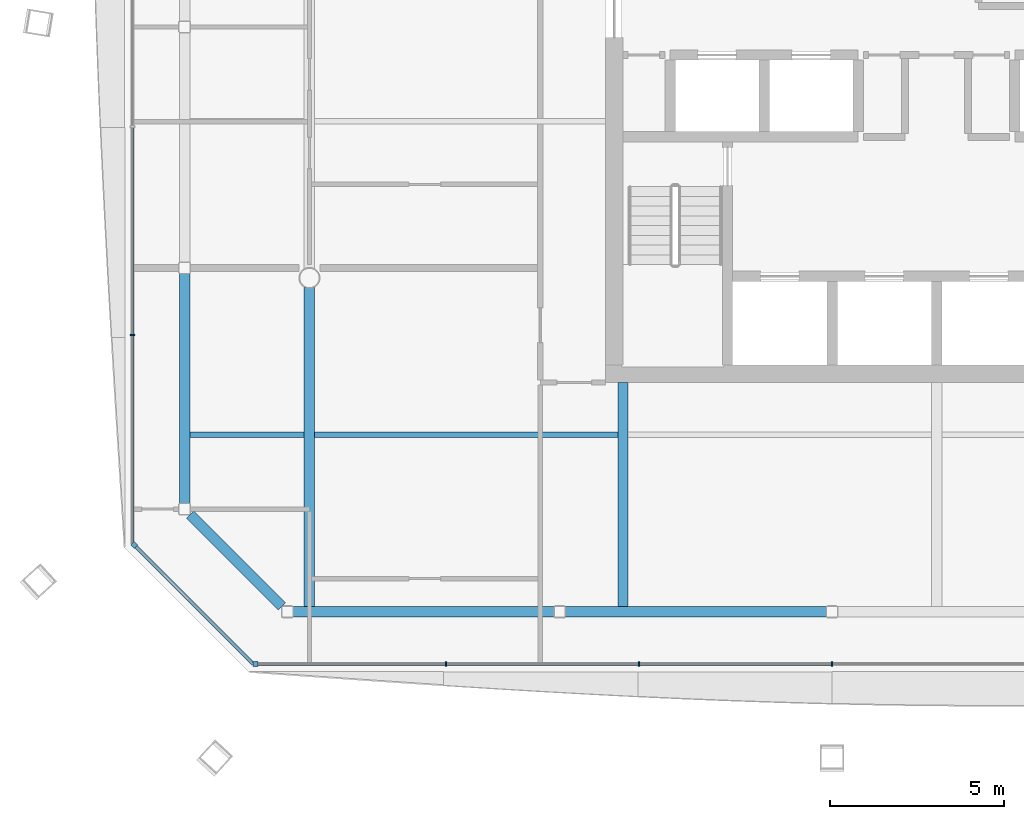
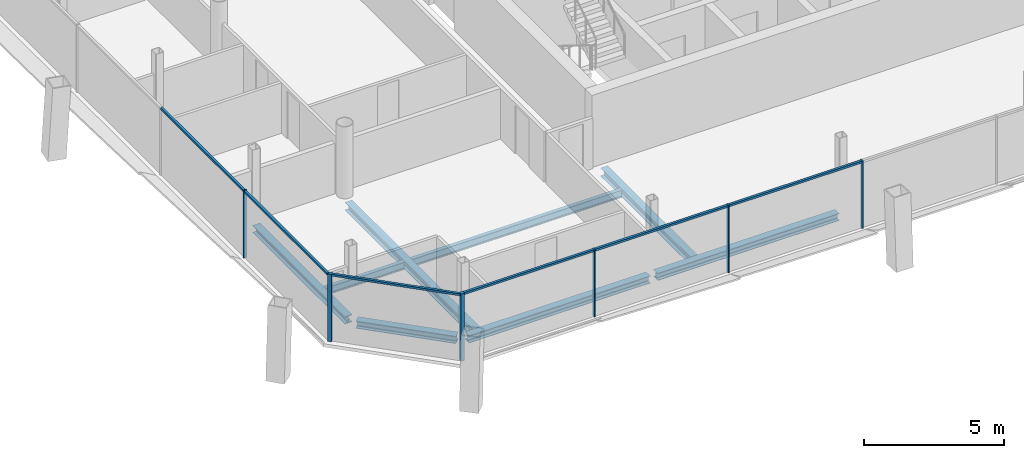
# One storey, part 4 of 20: 12 members, 8 beams, 3 elements without a shape of their own.
"""IFC4 building model written with IfcOpenShell, lengths in metres."""

from ifc_helpers import new_model, si_unit, direction, frame, origin, origin_2d, place, context, subcontext, project, spatial, rectangle, i_section, extrude, material, material_profile, profile_set, type_object, element, aggregate, save


model = new_model("IFC4")

# Units and contexts
model_context = context("Model", 3, precision=1e-05, world=origin(), true_north=direction((0.0, 1.0)))
body_context = subcontext(model_context, "Body", "Model", "MODEL_VIEW")
ifc_project = project(units=[si_unit("LENGTHUNIT", "METRE"), si_unit("AREAUNIT", "SQUARE_METRE"), si_unit("VOLUMEUNIT", "CUBIC_METRE"), si_unit("PLANEANGLEUNIT", "RADIAN"), si_unit("MASSUNIT", "GRAM", prefix="KILO")], contexts=[model_context])

# Site, building, storey
site_placement = place(None, origin())
site = spatial("IfcSite", under=ifc_project, at=site_placement, CompositionType="ELEMENT")
building_placement = place(site_placement, origin())
building = spatial("IfcBuilding", under=site, at=building_placement, Name="Tskaro Facet Tower", CompositionType="ELEMENT")
storey_placement = place(building_placement, frame((0.0, 0.0, 197.39990234375)))
storey = spatial("IfcBuildingStorey", under=building, at=storey_placement, Name="L50", CompositionType="ELEMENT", Elevation=197.39990234375)

# Curtain wall, member
ifc_material_1 = material(Name="Bronze anodised aluminium 6063-T6", Category="aluminium")
curtain_wall_type = type_object("IfcCurtainWallType", Name="Bronze residence curtain wall (FW3)", PredefinedType="NOTDEFINED", material=ifc_material_1)
curtain_wall_1_placement = place(storey_placement, origin())
curtain_wall_1 = element("IfcCurtainWall", 1, at=curtain_wall_1_placement, inside=storey, type_object=curtain_wall_type, Name="FW3 south facet L50", PredefinedType="NOTDEFINED")
ifc_material_profile_1 = material_profile(ifc_material_1, rectangle(XDim=0.139892578125, YDim=0.139892578125, at=origin_2d()), Name="Corner post 140x140")
ifc_profile_set_1 = profile_set([ifc_material_profile_1], Name="Bronze anodised aluminium 6063-T6")
member_type_1 = type_object("IfcMemberType", Name="FW3 bronze corner post 140x140", PredefinedType="MULLION", material=ifc_profile_set_1)
member_1_placement = place(storey_placement, frame((-19.548095703125, -20.080078125, 0.0), z_axis=(0.0, 0.0, 1.0), x_axis=(1.0, 0.0, 0.0)))
member_1 = element("IfcMember", 2, at=member_1_placement, type_object=member_type_1, Name="FW3 south corner post", PredefinedType="MULLION", context=body_context, shape_type="SweptSolid", body=[
    extrude(rectangle(XDim=0.139892578125, YDim=0.139892578125, at=origin_2d()), origin(), (0.0, 0.0, 1.0), 2.9501953125),
])

curtain_wall_2_placement = place(storey_placement, origin())
curtain_wall_2 = element("IfcCurtainWall", 3, at=curtain_wall_2_placement, inside=storey, type_object=curtain_wall_type, Name="FW3 south-west facet L50", PredefinedType="NOTDEFINED")
member_2_placement = place(storey_placement, frame((-23.030517578125, -16.66748046875, 0.0), z_axis=(0.0, 0.0, 1.0), x_axis=(0.707106781187, -0.707106781187, 0.0)))
member_2 = element("IfcMember", 4, at=member_2_placement, type_object=member_type_1, Name="FW3 south-west corner post", PredefinedType="MULLION", context=body_context, shape_type="SweptSolid", body=[
    extrude(rectangle(XDim=0.139892578125, YDim=0.139892578125, at=origin_2d()), origin(), (0.0, 0.0, 1.0), 2.9501953125),
])

# Member
ifc_material_profile_2 = material_profile(ifc_material_1, rectangle(XDim=0.050048828125, YDim=0.139892578125, at=origin_2d()), Name="Mullion 50x140")
ifc_profile_set_2 = profile_set([ifc_material_profile_2], Name="Bronze anodised aluminium 6063-T6")
member_type_2 = type_object("IfcMemberType", Name="FW3 bronze mullion 50x140", PredefinedType="MULLION", material=ifc_profile_set_2)
member_3_placement = place(storey_placement, frame((-14.07861328125, -20.080078125, 0.0), z_axis=(0.0, 0.0, 1.0), x_axis=(1.0, 0.0, 0.0)))
member_3 = element("IfcMember", 5, at=member_3_placement, type_object=member_type_2, Name="FW3 south mullion 1", PredefinedType="MULLION", context=body_context, shape_type="SweptSolid", body=[
    extrude(rectangle(XDim=0.050048828125, YDim=0.139892578125, at=origin_2d()), origin(), (0.0, 0.0, 1.0), 2.9501953125),
])

member_4_placement = place(storey_placement, frame((-8.539306640625, -20.080078125, 0.0), z_axis=(0.0, 0.0, 1.0), x_axis=(1.0, 0.0, 0.0)))
member_4 = element("IfcMember", 6, at=member_4_placement, type_object=member_type_2, Name="FW3 south mullion 2", PredefinedType="MULLION", context=body_context, shape_type="SweptSolid", body=[
    extrude(rectangle(XDim=0.050048828125, YDim=0.139892578125, at=origin_2d()), origin(), (0.0, 0.0, 1.0), 2.9501953125),
])

member_5_placement = place(storey_placement, frame((-3.0, -20.080078125, 0.0), z_axis=(0.0, 0.0, 1.0), x_axis=(1.0, 0.0, 0.0)))
member_5 = element("IfcMember", 7, at=member_5_placement, type_object=member_type_2, Name="FW3 south mullion 3", PredefinedType="MULLION", context=body_context, shape_type="SweptSolid", body=[
    extrude(rectangle(XDim=0.050048828125, YDim=0.139892578125, at=origin_2d()), origin(), (0.0, 0.0, 1.0), 2.9501953125),
])

# Curtain wall, member
curtain_wall_3_placement = place(storey_placement, origin())
curtain_wall_3 = element("IfcCurtainWall", 8, at=curtain_wall_3_placement, inside=storey, type_object=curtain_wall_type, Name="FW3 west facet L50", PredefinedType="NOTDEFINED")
member_6_placement = place(storey_placement, frame((-23.080078125, -10.640380859375, 0.0), z_axis=(0.0, 0.0, 1.0), x_axis=(0.0, -1.0, 0.0)))
member_6 = element("IfcMember", 9, at=member_6_placement, type_object=member_type_2, Name="FW3 west mullion 4", PredefinedType="MULLION", context=body_context, shape_type="SweptSolid", body=[
    extrude(rectangle(XDim=0.050048828125, YDim=0.139892578125, at=origin_2d()), origin(), (0.0, 0.0, 1.0), 2.9501953125),
])

# Member
ifc_material_profile_3 = material_profile(ifc_material_1, rectangle(XDim=0.10009765625, YDim=0.090087890625, at=origin_2d()), Name="Transom 100x90")
ifc_profile_set_3 = profile_set([ifc_material_profile_3], Name="Bronze anodised aluminium 6063-T6")
member_type_3 = type_object("IfcMemberType", Name="FW3 bronze transom 100x90", PredefinedType="USERDEFINED", material=ifc_profile_set_3)
member_7_placement = place(storey_placement, frame((-19.47802734375, -20.080078125, 2.905029296875), z_axis=(1.0, 0.0, 0.0), x_axis=(0.0, 1.0, 0.0)))
member_7 = element("IfcMember", 10, at=member_7_placement, type_object=member_type_3, Name="FW3 south transom 1.1", ObjectType="TRANSOM", PredefinedType="USERDEFINED", context=body_context, shape_type="SweptSolid", body=[
    extrude(rectangle(XDim=0.10009765625, YDim=0.090087890625, at=origin_2d()), origin(), (0.0, 0.0, 1.0), 5.374267578125),
])

member_8_placement = place(storey_placement, frame((-14.0537109375, -20.080078125, 2.905029296875), z_axis=(1.0, 0.0, 0.0), x_axis=(0.0, 1.0, 0.0)))
member_8 = element("IfcMember", 11, at=member_8_placement, type_object=member_type_3, Name="FW3 south transom 2.1", ObjectType="TRANSOM", PredefinedType="USERDEFINED", context=body_context, shape_type="SweptSolid", body=[
    extrude(rectangle(XDim=0.10009765625, YDim=0.090087890625, at=origin_2d()), origin(), (0.0, 0.0, 1.0), 5.4892578125),
])

member_9_placement = place(storey_placement, frame((-8.514404296875, -20.080078125, 2.905029296875), z_axis=(1.0, 0.0, 0.0), x_axis=(0.0, 1.0, 0.0)))
member_9 = element("IfcMember", 12, at=member_9_placement, type_object=member_type_3, Name="FW3 south transom 3.1", ObjectType="TRANSOM", PredefinedType="USERDEFINED", context=body_context, shape_type="SweptSolid", body=[
    extrude(rectangle(XDim=0.10009765625, YDim=0.090087890625, at=origin_2d()), origin(), (0.0, 0.0, 1.0), 5.489501953125),
])

aggregate(curtain_wall_1, [member_1, member_3, member_4, member_5, member_7, member_8, member_9])

member_10_placement = place(storey_placement, frame((-23.080078125, -4.687744140625, 2.905029296875), z_axis=(0.0, -1.0, 0.0), x_axis=(1.0, 0.0, 0.0)))
member_10 = element("IfcMember", 13, at=member_10_placement, type_object=member_type_3, Name="FW3 west transom 4.1", ObjectType="TRANSOM", PredefinedType="USERDEFINED", context=body_context, shape_type="SweptSolid", body=[
    extrude(rectangle(XDim=0.10009765625, YDim=0.090087890625, at=origin_2d()), origin(), (0.0, 0.0, 1.0), 5.927734375),
])

member_11_placement = place(storey_placement, frame((-23.080078125, -10.665283203125, 2.905029296875), z_axis=(0.0, -1.0, 0.0), x_axis=(1.0, 0.0, 0.0)))
member_11 = element("IfcMember", 14, at=member_11_placement, type_object=member_type_3, Name="FW3 west transom 5.1", ObjectType="TRANSOM", PredefinedType="USERDEFINED", context=body_context, shape_type="SweptSolid", body=[
    extrude(rectangle(XDim=0.10009765625, YDim=0.090087890625, at=origin_2d()), origin(), (0.0, 0.0, 1.0), 5.95263671875),
])

aggregate(curtain_wall_3, [member_6, member_10, member_11])

member_12_placement = place(storey_placement, frame((-22.98095703125, -16.717041015625, 2.905029296875), z_axis=(0.707106781187, -0.707106781187, 0.0), x_axis=(0.707106781187, 0.707106781187, 0.0)))
member_12 = element("IfcMember", 15, at=member_12_placement, type_object=member_type_3, Name="FW3 south-west transom 1.1", ObjectType="TRANSOM", PredefinedType="USERDEFINED", context=body_context, shape_type="SweptSolid", body=[
    extrude(rectangle(XDim=0.10009765625, YDim=0.090087890625, at=origin_2d()), origin(), (0.0, 0.0, 1.0), 4.756103515625),
])

aggregate(curtain_wall_2, [member_2, member_12])

# Beams
ifc_material_2 = material(Name="Steel S355J2", Category="steel")
ifc_material_profile_4 = material_profile(ifc_material_2, i_section(OverallWidth=0.300048828125, OverallDepth=0.320068359375, WebThickness=0.011474609375, FlangeThickness=0.0205078125, FilletRadius=0.027099609375, at=origin_2d()), Name="HE 320 B")
ifc_profile_set_4 = profile_set([ifc_material_profile_4], Name="Steel S355J2")
beam_type_1 = type_object("IfcBeamType", Name="HE 320 B ring beam", PredefinedType="BEAM", material=ifc_profile_set_4)
beam_1_placement = place(storey_placement, frame((-18.47802734375, -18.5830078125, -0.2998046875), z_axis=(1.0, 0.0, 0.0), x_axis=(0.0, 1.0, 0.0)))
element("IfcBeam", 16, at=beam_1_placement, inside=storey, type_object=beam_type_1, Name="HE 320 B EB1-4", PredefinedType="BEAM", context=body_context, shape_type="SweptSolid", body=[
    extrude(i_section(OverallWidth=0.300048828125, OverallDepth=0.320068359375, WebThickness=0.011474609375, FlangeThickness=0.0205078125, FilletRadius=0.027099609375, at=origin_2d()), origin(), (0.0, 0.0, 1.0), 7.507080078125),
])
beam_2_placement = place(storey_placement, frame((-10.660888671875, -18.5830078125, -0.2998046875), z_axis=(1.0, 0.0, 0.0), x_axis=(0.0, 1.0, 0.0)))
element("IfcBeam", 17, at=beam_2_placement, inside=storey, type_object=beam_type_1, Name="HE 320 B EB2-4", PredefinedType="BEAM", context=body_context, shape_type="SweptSolid", body=[
    extrude(i_section(OverallWidth=0.300048828125, OverallDepth=0.320068359375, WebThickness=0.011474609375, FlangeThickness=0.0205078125, FilletRadius=0.027099609375, at=origin_2d()), origin(), (0.0, 0.0, 1.0), 7.505859375),
])
beam_3_placement = place(storey_placement, frame((-21.5830078125, -8.867919921875, -0.2998046875), z_axis=(0.0, -1.0, 0.0), x_axis=(1.0, 0.0, 0.0)))
element("IfcBeam", 18, at=beam_3_placement, inside=storey, type_object=beam_type_1, Name="HE 320 B EB20-4", PredefinedType="BEAM", context=body_context, shape_type="SweptSolid", body=[
    extrude(i_section(OverallWidth=0.300048828125, OverallDepth=0.320068359375, WebThickness=0.011474609375, FlangeThickness=0.0205078125, FilletRadius=0.027099609375, at=origin_2d()), origin(), (0.0, 0.0, 1.0), 6.610107421875),
])
beam_4_placement = place(storey_placement, frame((-21.422119140625, -15.7939453125, -0.2998046875), z_axis=(0.707106781187, -0.707106781187, 0.0), x_axis=(0.707106781187, 0.707106781187, 0.0)))
element("IfcBeam", 19, at=beam_4_placement, inside=storey, type_object=beam_type_1, Name="HE 320 B EB21-4", PredefinedType="BEAM", context=body_context, shape_type="SweptSolid", body=[
    extrude(i_section(OverallWidth=0.300048828125, OverallDepth=0.320068359375, WebThickness=0.011474609375, FlangeThickness=0.0205078125, FilletRadius=0.027099609375, at=origin_2d()), origin(), (0.0, 0.0, 1.0), 3.716796875),
])
ifc_material_profile_5 = material_profile(ifc_material_2, i_section(OverallWidth=0.300048828125, OverallDepth=0.35009765625, WebThickness=0.010009765625, FlangeThickness=0.017578125, FilletRadius=0.027099609375, at=origin_2d()), Name="HE 360 A")
ifc_profile_set_5 = profile_set([ifc_material_profile_5], Name="Steel S355J2")
beam_type_2 = type_object("IfcBeamType", Name="HE 360 A girder", PredefinedType="BEAM", material=ifc_profile_set_5)
beam_5_placement = place(storey_placement, frame((-18.0, -18.43310546875, -0.31494140625), z_axis=(0.0, 1.0, 0.0), x_axis=(-1.0, 0.0, 0.0)))
element("IfcBeam", 20, at=beam_5_placement, inside=storey, type_object=beam_type_2, Name="HE 360 A GB2-1-4", PredefinedType="BEAM", context=body_context, shape_type="SweptSolid", body=[
    extrude(i_section(OverallWidth=0.300048828125, OverallDepth=0.35009765625, WebThickness=0.010009765625, FlangeThickness=0.017578125, FilletRadius=0.027099609375, at=origin_2d()), origin(), (0.0, 0.0, 1.0), 9.158203125),
])
beam_6_placement = place(storey_placement, frame((-9.0, -18.43310546875, -0.31494140625), z_axis=(0.0, 1.0, 0.0), x_axis=(-1.0, 0.0, 0.0)))
element("IfcBeam", 21, at=beam_6_placement, inside=storey, type_object=beam_type_2, Name="HE 360 A GB3-1-4", PredefinedType="BEAM", context=body_context, shape_type="SweptSolid", body=[
    extrude(i_section(OverallWidth=0.300048828125, OverallDepth=0.35009765625, WebThickness=0.010009765625, FlangeThickness=0.017578125, FilletRadius=0.027099609375, at=origin_2d()), origin(), (0.0, 0.0, 1.0), 6.43310546875),
])
ifc_material_profile_6 = material_profile(ifc_material_2, i_section(OverallWidth=0.159912109375, OverallDepth=0.330078125, WebThickness=0.007568359375, FlangeThickness=0.011474609375, FilletRadius=0.01806640625, at=origin_2d()), Name="IPE 330")
ifc_profile_set_6 = profile_set([ifc_material_profile_6], Name="Steel S355J2")
beam_type_3 = type_object("IfcBeamType", Name="IPE 330 secondary beam", PredefinedType="BEAM", material=ifc_profile_set_6)
beam_7_placement = place(storey_placement, frame((-21.43310546875, -13.5, -0.304931640625), z_axis=(1.0, 0.0, 0.0), x_axis=(0.0, 1.0, 0.0)))
element("IfcBeam", 22, at=beam_7_placement, inside=storey, type_object=beam_type_3, Name="IPE 330 SB2a-1-4", PredefinedType="BEAM", context=body_context, shape_type="SweptSolid", body=[
    extrude(i_section(OverallWidth=0.159912109375, OverallDepth=0.330078125, WebThickness=0.007568359375, FlangeThickness=0.011474609375, FilletRadius=0.01806640625, at=origin_2d()), origin(), (0.0, 0.0, 1.0), 3.283203125),
])
beam_8_placement = place(storey_placement, frame((-17.85009765625, -13.5, -0.304931640625), z_axis=(1.0, 0.0, 0.0), x_axis=(0.0, 1.0, 0.0)))
element("IfcBeam", 23, at=beam_8_placement, inside=storey, type_object=beam_type_3, Name="IPE 330 SB2a-2-4", PredefinedType="BEAM", context=body_context, shape_type="SweptSolid", body=[
    extrude(i_section(OverallWidth=0.159912109375, OverallDepth=0.330078125, WebThickness=0.007568359375, FlangeThickness=0.011474609375, FilletRadius=0.01806640625, at=origin_2d()), origin(), (0.0, 0.0, 1.0), 8.7001953125),
])

save(model, "model.ifc")
